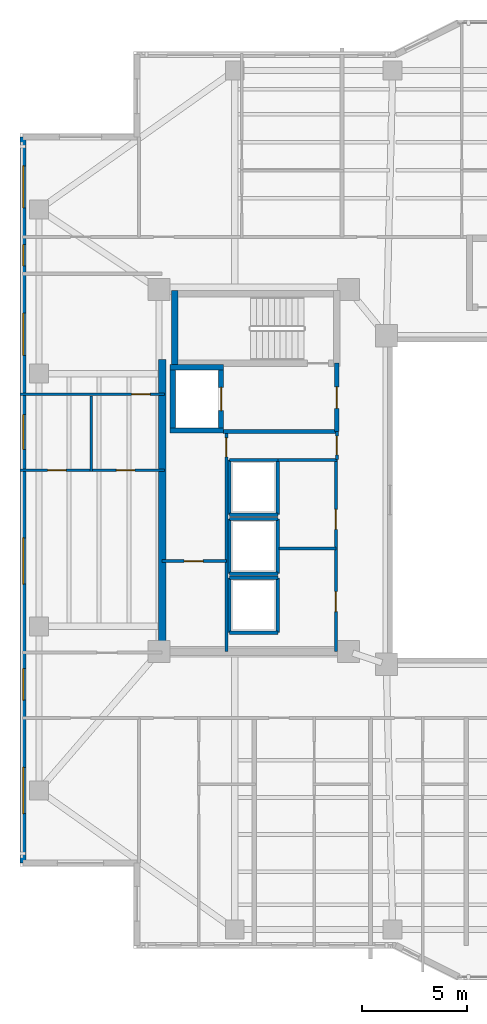
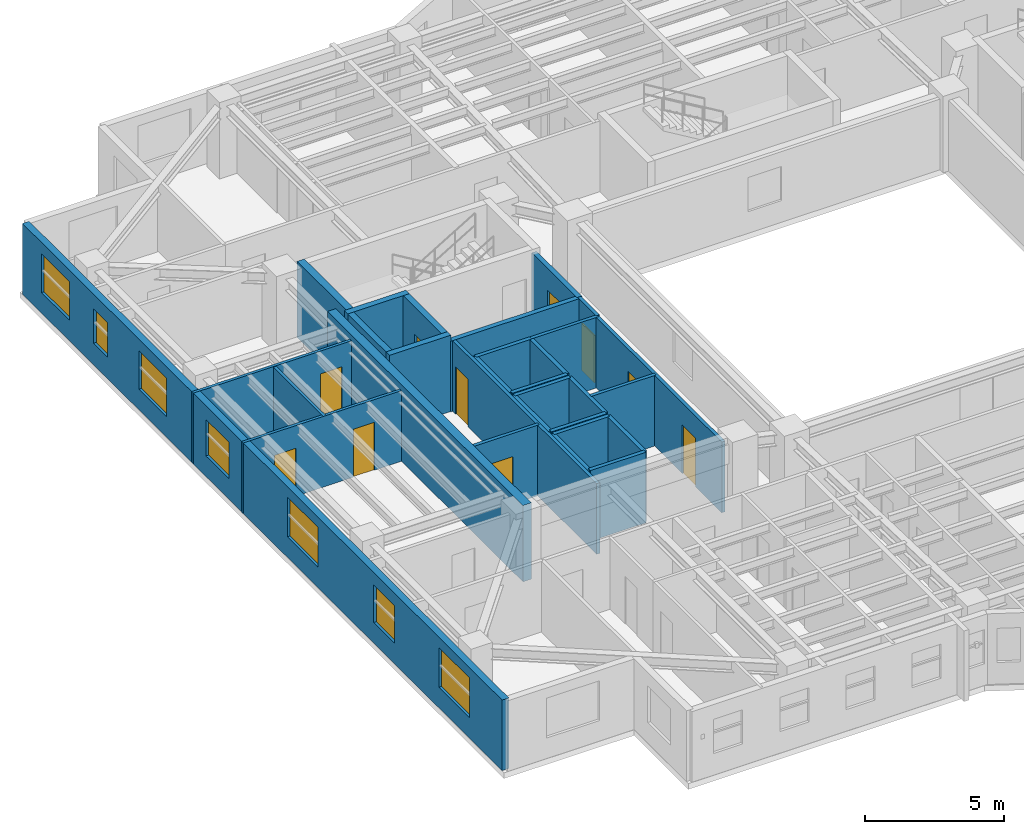
# One storey, part 7 of 16: 30 walls, 10 doors, 7 windows, 17 openings.
"""IFC4 building model written with IfcOpenShell, lengths in metres."""

from ifc_helpers import new_model, si_unit, direction, frame, frame_2d, origin, place, context, subcontext, project, spatial, rectangle, extrude, material, layer, layer_set, type_object, element, fill, save


model = new_model("IFC4")

# Units and contexts
model_context = context("Model", 3, precision=1e-05, world=origin(), true_north=direction((0.0, 1.0)))
body_context = subcontext(model_context, "Body", "Model", "MODEL_VIEW")
ifc_project = project(units=[si_unit("LENGTHUNIT", "METRE"), si_unit("AREAUNIT", "SQUARE_METRE"), si_unit("VOLUMEUNIT", "CUBIC_METRE"), si_unit("PLANEANGLEUNIT", "RADIAN"), si_unit("MASSUNIT", "GRAM", prefix="KILO")], contexts=[model_context])

# Site, building, storey
site_placement = place(None, origin())
site = spatial("IfcSite", under=ifc_project, at=site_placement, CompositionType="ELEMENT")
building_placement = place(site_placement, origin())
building = spatial("IfcBuilding", under=site, at=building_placement, Name="Tarnavaz Court Tower", CompositionType="ELEMENT")
storey_placement = place(building_placement, frame((0.0, 0.0, 166.10009765625)))
storey = spatial("IfcBuildingStorey", under=building, at=storey_placement, Name="L45", CompositionType="ELEMENT", Elevation=166.10009765625)

# Wall
ifc_material_1 = material(Name="Concrete C50/60", Category="concrete")
ifc_layer_1 = layer(ifc_material_1, 0.25)
ifc_layer_set_1 = layer_set([ifc_layer_1], Name="Concrete C50/60")
wall_type_1 = type_object("IfcWallType", Name="WL-CORE-250-C50", PredefinedType="SHEAR", material=ifc_layer_set_1)
wall_1_placement = place(storey_placement, frame((-17.949951171875, 3.175048828125, 0.0), z_axis=(0.0, 0.0, 1.0), x_axis=(0.0, 1.0, 0.0)))
element("IfcWall", 1, at=wall_1_placement, inside=storey, type_object=wall_type_1, Name="L45 Lift FL-W1 Shaft Wall 017", PredefinedType="SHEAR", context=body_context, shape_type="SweptSolid", body=[
    extrude(rectangle(XDim=3.25, YDim=0.25, at=frame_2d((1.625, 0.0))), origin(), (0.0, 0.0, 1.0), 3.349853515625),
])

# Wall, opening, door
wall_2_placement = place(storey_placement, frame((-15.64990234375, 3.175048828125, 0.0), z_axis=(0.0, 0.0, 1.0), x_axis=(0.0, 1.0, 0.0)))
wall_2 = element("IfcWall", 2, at=wall_2_placement, inside=storey, type_object=wall_type_1, Name="L45 Lift FL-W1 Shaft Wall 018", PredefinedType="SHEAR", context=body_context, shape_type="SweptSolid", body=[
    extrude(rectangle(XDim=3.25, YDim=0.25, at=frame_2d((1.625, 0.0))), origin(), (0.0, 0.0, 1.0), 3.349853515625),
])
opening_1_placement = place(wall_2_placement, frame((1.074951171875, 0.0, 0.0)))
opening_1 = element("IfcOpeningElement", 3, at=opening_1_placement, cuts=wall_2, Name="Opening LD1", PredefinedType="OPENING", context=body_context, shape_type="SweptSolid", body=[
    extrude(rectangle(XDim=1.10009765625, YDim=2.14990234375, at=frame_2d((0.550048828125, 1.074951171875))), frame((0.0, 0.135009765625, 0.0), z_axis=(0.0, -1.0, 0.0), x_axis=(1.0, 0.0, 0.0)), (0.0, 0.0, 1.0), 0.27001953125),
])
ifc_material_2 = material(Name="Stainless Steel", Category="steel")
door_type_1 = type_object("IfcDoorType", Name="DR-LD-1100", OperationType="NOTDEFINED", PredefinedType="DOOR", material=ifc_material_2)
door_1_placement = place(opening_1_placement, origin())
door_1 = element("IfcDoor", 4, at=door_1_placement, inside=storey, type_object=door_type_1, Name="L45 Lift Landing Door LD-FL-W1", OperationType="SLIDING_TO_LEFT", OverallHeight=2.14990234375, OverallWidth=1.10009765625, PredefinedType="DOOR", context=body_context, shape_type="SweptSolid", body=[
    extrude(rectangle(XDim=1.10009765625, YDim=2.14990234375, at=frame_2d((0.550048828125, 1.074951171875))), frame((0.0, 0.02490234375, 0.0), z_axis=(0.0, -1.0, 0.0), x_axis=(1.0, 0.0, 0.0)), (0.0, 0.0, 1.0), 0.050048828125),
])
fill(opening_1, door_1)

# Walls
for number, where, z_axis, x_axis, name in (
    (5, (-18.074951171875, 3.300048828125, 0.0), (0.0, 0.0, 1.0), (1.0, 0.0, 0.0), "L45 Lift FL-W1 Shaft Wall 019"),
    (6, (-18.074951171875, 6.300048828125, 0.0), (0.0, 0.0, 1.0), (1.0, 0.0, 0.0), "L45 Lift FL-W1 Shaft Wall 020"),
):
    element("IfcWall", number, at=place(storey_placement, frame(where, z_axis=z_axis, x_axis=x_axis)), inside=storey, type_object=wall_type_1, Name=name, PredefinedType="SHEAR", context=body_context, shape_type="SweptSolid", body=[
        extrude(rectangle(XDim=2.550048828125, YDim=0.25, at=frame_2d((1.27490234375, 0.0))), origin(), (0.0, 0.0, 1.0), 3.349853515625),
    ])
ifc_layer_2 = layer(ifc_material_1, 0.300048828125)
ifc_layer_set_2 = layer_set([ifc_layer_2], Name="Concrete C50/60")
wall_type_2 = type_object("IfcWallType", Name="WL-CORE-300-C50", PredefinedType="SHEAR", material=ifc_layer_set_2)
wall_3_placement = place(storey_placement, frame((-17.85009765625, 6.35009765625, 0.0), z_axis=(0.0, 0.0, 1.0), x_axis=(0.0, 1.0, 0.0)))
element("IfcWall", 7, at=wall_3_placement, inside=storey, type_object=wall_type_2, Name="L45 West Stair Core Wall 003", PredefinedType="SHEAR", context=body_context, shape_type="SweptSolid", body=[
    extrude(rectangle(XDim=3.58984375, YDim=0.300048828125, at=frame_2d((1.794921875, 0.0))), origin(), (0.0, 0.0, 1.0), 3.349853515625),
])
ifc_layer_3 = layer(ifc_material_1, 0.35009765625)
ifc_layer_set_3 = layer_set([ifc_layer_3], Name="Concrete C50/60")
wall_type_3 = type_object("IfcWallType", Name="WL-CORE-350-C50", PredefinedType="SHEAR", material=ifc_layer_set_3)
wall_4_placement = place(storey_placement, frame((-18.449951171875, -7.375, 0.0), z_axis=(0.0, 0.0, 1.0), x_axis=(0.0, 1.0, 0.0)))
element("IfcWall", 8, at=wall_4_placement, inside=storey, type_object=wall_type_3, Name="L45 West Core Shear Wall 057", PredefinedType="SHEAR", context=body_context, shape_type="SweptSolid", body=[
    extrude(rectangle(XDim=14.050048828125, YDim=0.35009765625, at=frame_2d((7.02490234375, 0.0))), origin(), (0.0, 0.0, 1.0), 3.349853515625),
])

# Wall, openings, windows
ifc_material_3 = material(Name="Precast Concrete C40/50", Category="concrete")
ifc_layer_4 = layer(ifc_material_3, 0.280029296875)
ifc_layer_set_4 = layer_set([ifc_layer_4], Name="Precast Concrete C40/50")
wall_type_4 = type_object("IfcWallType", Name="WL-EXT-280", PredefinedType="SOLIDWALL", material=ifc_layer_set_4)
wall_5_placement = place(storey_placement, frame((-25.050048828125, -17.25, 0.0), z_axis=(0.0, 0.0, 1.0), x_axis=(0.0, 1.0, 0.0)))
wall_5 = element("IfcWall", 9, at=wall_5_placement, inside=storey, type_object=wall_type_4, Name="L45 Exterior Terracotta Facade Wall 02", PredefinedType="SOLIDWALL", context=body_context, shape_type="SweptSolid", body=[
    extrude(rectangle(XDim=34.5, YDim=0.280029296875, at=frame_2d((17.25, 0.0))), origin(), (0.0, 0.0, 1.0), 3.099853515625),
])
opening_2_placement = place(wall_5_placement, frame((2.35009765625, 0.0, 0.89990234375)))
opening_2 = element("IfcOpeningElement", 10, at=opening_2_placement, cuts=wall_5, Name="Opening W07", PredefinedType="OPENING", context=body_context, shape_type="SweptSolid", body=[
    extrude(rectangle(XDim=2.199951171875, YDim=1.75, at=frame_2d((1.10009765625, 0.875))), frame((0.0, 0.14990234375, 0.0), z_axis=(0.0, -1.0, 0.0), x_axis=(1.0, 0.0, 0.0)), (0.0, 0.0, 1.0), 0.300048828125),
])
opening_3_placement = place(wall_5_placement, frame((7.742431640625, 0.0, 0.89990234375)))
opening_3 = element("IfcOpeningElement", 11, at=opening_3_placement, cuts=wall_5, Name="Opening W03", PredefinedType="OPENING", context=body_context, shape_type="SweptSolid", body=[
    extrude(rectangle(XDim=1.5, YDim=1.64990234375, at=frame_2d((0.75, 0.824951171875))), frame((0.0, 0.14990234375, 0.0), z_axis=(0.0, -1.0, 0.0), x_axis=(1.0, 0.0, 0.0)), (0.0, 0.0, 1.0), 0.300048828125),
])
opening_4_placement = place(wall_5_placement, frame((13.25, 0.0, 0.89990234375)))
opening_4 = element("IfcOpeningElement", 12, at=opening_4_placement, cuts=wall_5, Name="Opening W07", PredefinedType="OPENING", context=body_context, shape_type="SweptSolid", body=[
    extrude(rectangle(XDim=2.199951171875, YDim=1.75, at=frame_2d((1.10009765625, 0.875))), frame((0.0, 0.14990234375, 0.0), z_axis=(0.0, -1.0, 0.0), x_axis=(1.0, 0.0, 0.0)), (0.0, 0.0, 1.0), 0.300048828125),
])
opening_5_placement = place(wall_5_placement, frame((19.64990234375, 0.0, 0.89990234375)))
opening_5 = element("IfcOpeningElement", 13, at=opening_5_placement, cuts=wall_5, Name="Opening W02", PredefinedType="OPENING", context=body_context, shape_type="SweptSolid", body=[
    extrude(rectangle(XDim=1.64990234375, YDim=1.60009765625, at=frame_2d((0.824951171875, 0.800048828125))), frame((0.0, 0.14990234375, 0.0), z_axis=(0.0, -1.0, 0.0), x_axis=(1.0, 0.0, 0.0)), (0.0, 0.0, 1.0), 0.300048828125),
])
opening_6_placement = place(wall_5_placement, frame((24.125, 0.0, 0.89990234375)))
opening_6 = element("IfcOpeningElement", 14, at=opening_6_placement, cuts=wall_5, Name="Opening W08", PredefinedType="OPENING", context=body_context, shape_type="SweptSolid", body=[
    extrude(rectangle(XDim=2.0, YDim=1.699951171875, at=frame_2d((1.0, 0.85009765625))), frame((0.0, 0.14990234375, 0.0), z_axis=(0.0, -1.0, 0.0), x_axis=(1.0, 0.0, 0.0)), (0.0, 0.0, 1.0), 0.300048828125),
])
opening_7_placement = place(wall_5_placement, frame((28.375, 0.0, 0.949951171875)))
opening_7 = element("IfcOpeningElement", 15, at=opening_7_placement, cuts=wall_5, Name="Opening W14", PredefinedType="OPENING", context=body_context, shape_type="SweptSolid", body=[
    extrude(rectangle(XDim=1.0, YDim=1.5, at=frame_2d((0.5, 0.75))), frame((0.0, 0.14990234375, 0.0), z_axis=(0.0, -1.0, 0.0), x_axis=(1.0, 0.0, 0.0)), (0.0, 0.0, 1.0), 0.300048828125),
])
opening_8_placement = place(wall_5_placement, frame((31.125, 0.0, 0.89990234375)))
opening_8 = element("IfcOpeningElement", 16, at=opening_8_placement, cuts=wall_5, Name="Opening W08", PredefinedType="OPENING", context=body_context, shape_type="SweptSolid", body=[
    extrude(rectangle(XDim=2.0, YDim=1.699951171875, at=frame_2d((1.0, 0.85009765625))), frame((0.0, 0.14990234375, 0.0), z_axis=(0.0, -1.0, 0.0), x_axis=(1.0, 0.0, 0.0)), (0.0, 0.0, 1.0), 0.300048828125),
])
ifc_material_4 = material(Name="Double-Glazed Solar Low-E Glass", Category="glass")
window_type_1 = type_object("IfcWindowType", Name="WN-APT-1000", PartitioningType="SINGLE_PANEL", PredefinedType="WINDOW", material=ifc_material_4)
window_1_placement = place(opening_7_placement, origin())
window_1 = element("IfcWindow", 17, at=window_1_placement, inside=storey, type_object=window_type_1, Name="L45 North-West Corner Corridor Window", OverallHeight=1.5, OverallWidth=1.0, PartitioningType="SINGLE_PANEL", PredefinedType="WINDOW", context=body_context, shape_type="SweptSolid", body=[
    extrude(rectangle(XDim=1.0, YDim=1.5, at=frame_2d((0.5, 0.75))), frame((0.0, 0.030029296875, 0.0), z_axis=(0.0, -1.0, 0.0), x_axis=(1.0, 0.0, 0.0)), (0.0, 0.0, 1.0), 0.06005859375),
])
fill(opening_7, window_1)
window_type_2 = type_object("IfcWindowType", Name="WN-APT-1500", PartitioningType="DOUBLE_PANEL_VERTICAL", PredefinedType="WINDOW", material=ifc_material_4)
window_2_placement = place(opening_3_placement, origin())
window_2 = element("IfcWindow", 18, at=window_2_placement, inside=storey, type_object=window_type_2, Name="L45 South-West Corner Corridor Window", OverallHeight=1.64990234375, OverallWidth=1.5, PartitioningType="SINGLE_PANEL", PredefinedType="WINDOW", context=body_context, shape_type="SweptSolid", body=[
    extrude(rectangle(XDim=1.5, YDim=1.64990234375, at=frame_2d((0.75, 0.824951171875))), frame((0.0, 0.030029296875, 0.0), z_axis=(0.0, -1.0, 0.0), x_axis=(1.0, 0.0, 0.0)), (0.0, 0.0, 1.0), 0.06005859375),
])
fill(opening_3, window_2)
window_type_3 = type_object("IfcWindowType", Name="WN-APT-1650", PartitioningType="DOUBLE_PANEL_VERTICAL", PredefinedType="WINDOW", material=ifc_material_4)
window_3_placement = place(opening_5_placement, origin())
window_3 = element("IfcWindow", 19, at=window_3_placement, inside=storey, type_object=window_type_3, Name="L45 Flat 11 Kitchen Window", OverallHeight=1.60009765625, OverallWidth=1.64990234375, PartitioningType="SINGLE_PANEL", PredefinedType="WINDOW", context=body_context, shape_type="SweptSolid", body=[
    extrude(rectangle(XDim=1.64990234375, YDim=1.60009765625, at=frame_2d((0.824951171875, 0.800048828125))), frame((0.0, 0.030029296875, 0.0), z_axis=(0.0, -1.0, 0.0), x_axis=(1.0, 0.0, 0.0)), (0.0, 0.0, 1.0), 0.06005859375),
])
fill(opening_5, window_3)
window_type_4 = type_object("IfcWindowType", Name="WN-APT-2000", PartitioningType="DOUBLE_PANEL_VERTICAL", PredefinedType="WINDOW", material=ifc_material_4)
window_4_placement = place(opening_6_placement, origin())
window_4 = element("IfcWindow", 20, at=window_4_placement, inside=storey, type_object=window_type_4, Name="L45 Flat 11 Study Room Window", OverallHeight=1.699951171875, OverallWidth=2.0, PartitioningType="SINGLE_PANEL", PredefinedType="WINDOW", context=body_context, shape_type="SweptSolid", body=[
    extrude(rectangle(XDim=2.0, YDim=1.699951171875, at=frame_2d((1.0, 0.85009765625))), frame((0.0, 0.030029296875, 0.0), z_axis=(0.0, -1.0, 0.0), x_axis=(1.0, 0.0, 0.0)), (0.0, 0.0, 1.0), 0.06005859375),
])
fill(opening_6, window_4)
window_5_placement = place(opening_8_placement, origin())
window_5 = element("IfcWindow", 21, at=window_5_placement, inside=storey, type_object=window_type_4, Name="L45 North-West Corner Sunroom Study Window", OverallHeight=1.699951171875, OverallWidth=2.0, PartitioningType="SINGLE_PANEL", PredefinedType="WINDOW", context=body_context, shape_type="SweptSolid", body=[
    extrude(rectangle(XDim=2.0, YDim=1.699951171875, at=frame_2d((1.0, 0.85009765625))), frame((0.0, 0.030029296875, 0.0), z_axis=(0.0, -1.0, 0.0), x_axis=(1.0, 0.0, 0.0)), (0.0, 0.0, 1.0), 0.06005859375),
])
fill(opening_8, window_5)
window_type_5 = type_object("IfcWindowType", Name="WN-APT-2200", PartitioningType="TRIPLE_PANEL_VERTICAL", PredefinedType="WINDOW", material=ifc_material_4)
window_6_placement = place(opening_2_placement, origin())
window_6 = element("IfcWindow", 22, at=window_6_placement, inside=storey, type_object=window_type_5, Name="L45 South-West Corner Reading Room Window", OverallHeight=1.75, OverallWidth=2.199951171875, PartitioningType="SINGLE_PANEL", PredefinedType="WINDOW", context=body_context, shape_type="SweptSolid", body=[
    extrude(rectangle(XDim=2.199951171875, YDim=1.75, at=frame_2d((1.10009765625, 0.875))), frame((0.0, 0.030029296875, 0.0), z_axis=(0.0, -1.0, 0.0), x_axis=(1.0, 0.0, 0.0)), (0.0, 0.0, 1.0), 0.06005859375),
])
fill(opening_2, window_6)
window_7_placement = place(opening_4_placement, origin())
window_7 = element("IfcWindow", 23, at=window_7_placement, inside=storey, type_object=window_type_5, Name="L45 Flat 11 Studio Living and Sleeping Room Window", OverallHeight=1.75, OverallWidth=2.199951171875, PartitioningType="SINGLE_PANEL", PredefinedType="WINDOW", context=body_context, shape_type="SweptSolid", body=[
    extrude(rectangle(XDim=2.199951171875, YDim=1.75, at=frame_2d((1.10009765625, 0.875))), frame((0.0, 0.030029296875, 0.0), z_axis=(0.0, -1.0, 0.0), x_axis=(1.0, 0.0, 0.0)), (0.0, 0.0, 1.0), 0.06005859375),
])
fill(opening_4, window_7)

# Wall
ifc_material_5 = material(Name="Autoclaved Aerated Concrete Blockwork", Category="masonry")
ifc_layer_5 = layer(ifc_material_5, 0.199951171875)
ifc_layer_set_5 = layer_set([ifc_layer_5], Name="Autoclaved Aerated Concrete Blockwork")
wall_type_5 = type_object("IfcWallType", Name="WL-FIRE-200", PredefinedType="SOLIDWALL", material=ifc_layer_set_5)
wall_6_placement = place(storey_placement, frame((-15.550048828125, 3.25, 0.0), z_axis=(0.0, 0.0, 1.0), x_axis=(1.0, 0.0, 0.0)))
element("IfcWall", 24, at=wall_6_placement, inside=storey, type_object=wall_type_5, Name="L45 West Firefighting Lobby Wall 013", PredefinedType="SOLIDWALL", context=body_context, shape_type="SweptSolid", body=[
    extrude(rectangle(XDim=5.400146484375, YDim=0.199951171875, at=frame_2d((2.7001953125, 0.0))), origin(), (0.0, 0.0, 1.0), 3.099853515625),
])

# Wall, opening, door
wall_7_placement = place(storey_placement, frame((-10.14990234375, 3.25, 0.0), z_axis=(0.0, 0.0, 1.0), x_axis=(0.0, 1.0, 0.0)))
wall_7 = element("IfcWall", 25, at=wall_7_placement, inside=storey, type_object=wall_type_5, Name="L45 West Firefighting Lobby Wall 014", PredefinedType="SOLIDWALL", context=body_context, shape_type="SweptSolid", body=[
    extrude(rectangle(XDim=3.25, YDim=0.199951171875, at=frame_2d((1.625, 0.0))), origin(), (0.0, 0.0, 1.0), 3.099853515625),
])
opening_9_placement = place(wall_7_placement, frame((1.10009765625, 0.0, 0.0)))
opening_9 = element("IfcOpeningElement", 26, at=opening_9_placement, cuts=wall_7, Name="Opening D05", PredefinedType="OPENING", context=body_context, shape_type="SweptSolid", body=[
    extrude(rectangle(XDim=1.02001953125, YDim=2.14990234375, at=frame_2d((0.510009765625, 1.074951171875))), frame((0.0, 0.10986328125, 0.0), z_axis=(0.0, -1.0, 0.0), x_axis=(1.0, 0.0, 0.0)), (0.0, 0.0, 1.0), 0.219970703125),
])
ifc_material_6 = material(Name="Fire-Rated Hardwood Timber Core", Category="wood")
door_type_2 = type_object("IfcDoorType", Name="DR-FD60-1000", OperationType="NOTDEFINED", PredefinedType="DOOR", material=ifc_material_6)
door_2_placement = place(opening_9_placement, origin())
door_2 = element("IfcDoor", 27, at=door_2_placement, inside=storey, type_object=door_type_2, Name="L45 West Firefighting Lobby Door", OperationType="SINGLE_SWING_RIGHT", OverallHeight=2.14990234375, OverallWidth=1.02001953125, PredefinedType="DOOR", context=body_context, shape_type="SweptSolid", body=[
    extrude(rectangle(XDim=1.02001953125, YDim=2.14990234375, at=frame_2d((0.510009765625, 1.074951171875))), frame((0.0, 0.02490234375, 0.0), z_axis=(0.0, -1.0, 0.0), x_axis=(1.0, 0.0, 0.0)), (0.0, 0.0, 1.0), 0.050048828125),
])
fill(opening_9, door_2)

# Wall, openings, doors
ifc_material_7 = material(Name="Moisture-Resistant Gypsum Board Partition", Category="masonry")
ifc_layer_6 = layer(ifc_material_7, 0.1201171875)
ifc_layer_set_6 = layer_set([ifc_layer_6], Name="Moisture-Resistant Gypsum Board Partition")
wall_type_6 = type_object("IfcWallType", Name="WL-PART-120", PredefinedType="PARTITIONING", material=ifc_layer_set_6)
wall_8_placement = place(storey_placement, frame((-25.199951171875, 1.419921875, 0.0), z_axis=(0.0, 0.0, 1.0), x_axis=(1.0, 0.0, 0.0)))
wall_8 = element("IfcWall", 28, at=wall_8_placement, inside=storey, type_object=wall_type_6, Name="L45 Interior Partition 126", PredefinedType="PARTITIONING", context=body_context, shape_type="SweptSolid", body=[
    extrude(rectangle(XDim=6.869873046875, YDim=0.1201171875, at=frame_2d((3.43505859375, 0.0))), origin(), (0.0, 0.0, 1.0), 3.099853515625),
])
opening_10_placement = place(wall_8_placement, frame((1.31201171875, 0.0, 0.0)))
opening_10 = element("IfcOpeningElement", 29, at=opening_10_placement, cuts=wall_8, Name="Opening D14", PredefinedType="OPENING", context=body_context, shape_type="SweptSolid", body=[
    extrude(rectangle(XDim=0.8798828125, YDim=2.10009765625, at=frame_2d((0.43994140625, 1.050048828125))), frame((0.0, 0.070068359375, 0.0), z_axis=(0.0, -1.0, 0.0), x_axis=(1.0, 0.0, 0.0)), (0.0, 0.0, 1.0), 0.14013671875),
])
opening_11_placement = place(wall_8_placement, frame((4.576904296875, 0.0, 0.0)))
opening_11 = element("IfcOpeningElement", 30, at=opening_11_placement, cuts=wall_8, Name="Opening D14", PredefinedType="OPENING", context=body_context, shape_type="SweptSolid", body=[
    extrude(rectangle(XDim=0.8798828125, YDim=2.10009765625, at=frame_2d((0.43994140625, 1.050048828125))), frame((0.0, 0.070068359375, 0.0), z_axis=(0.0, -1.0, 0.0), x_axis=(1.0, 0.0, 0.0)), (0.0, 0.0, 1.0), 0.14013671875),
])
ifc_material_8 = material(Name="Engineered Oak Timber", Category="wood")
door_type_3 = type_object("IfcDoorType", Name="DR-INT-900", OperationType="NOTDEFINED", PredefinedType="DOOR", material=ifc_material_8)
door_3_placement = place(opening_10_placement, origin())
door_3 = element("IfcDoor", 31, at=door_3_placement, inside=storey, type_object=door_type_3, Name="L45 Flat 11 Kitchen Door", OperationType="SINGLE_SWING_RIGHT", OverallHeight=2.10009765625, OverallWidth=0.8798828125, PredefinedType="DOOR", context=body_context, shape_type="SweptSolid", body=[
    extrude(rectangle(XDim=0.8798828125, YDim=2.10009765625, at=frame_2d((0.43994140625, 1.050048828125))), frame((0.0, 0.02490234375, 0.0), z_axis=(0.0, -1.0, 0.0), x_axis=(1.0, 0.0, 0.0)), (0.0, 0.0, 1.0), 0.050048828125),
])
fill(opening_10, door_3)
door_4_placement = place(opening_11_placement, origin())
door_4 = element("IfcDoor", 32, at=door_4_placement, inside=storey, type_object=door_type_3, Name="L45 Flat 11 Bathroom Door", OperationType="SINGLE_SWING_LEFT", OverallHeight=2.10009765625, OverallWidth=0.8798828125, PredefinedType="DOOR", context=body_context, shape_type="SweptSolid", body=[
    extrude(rectangle(XDim=0.8798828125, YDim=2.10009765625, at=frame_2d((0.43994140625, 1.050048828125))), frame((0.0, 0.02490234375, 0.0), z_axis=(0.0, -1.0, 0.0), x_axis=(1.0, 0.0, 0.0)), (0.0, 0.0, 1.0), 0.050048828125),
])
fill(opening_11, door_4)

# Wall, opening, door
wall_9_placement = place(storey_placement, frame((-25.199951171875, 5.02001953125, 0.0), z_axis=(0.0, 0.0, 1.0), x_axis=(1.0, 0.0, 0.0)))
wall_9 = element("IfcWall", 33, at=wall_9_placement, inside=storey, type_object=wall_type_6, Name="L45 Interior Partition 127", PredefinedType="PARTITIONING", context=body_context, shape_type="SweptSolid", body=[
    extrude(rectangle(XDim=6.869873046875, YDim=0.1201171875, at=frame_2d((3.43505859375, 0.0))), origin(), (0.0, 0.0, 1.0), 3.099853515625),
])
opening_12_placement = place(wall_9_placement, frame((5.300048828125, 0.0, 0.0)))
opening_12 = element("IfcOpeningElement", 34, at=opening_12_placement, cuts=wall_9, Name="Opening D14", PredefinedType="OPENING", context=body_context, shape_type="SweptSolid", body=[
    extrude(rectangle(XDim=0.8798828125, YDim=2.10009765625, at=frame_2d((0.43994140625, 1.050048828125))), frame((0.0, 0.070068359375, 0.0), z_axis=(0.0, -1.0, 0.0), x_axis=(1.0, 0.0, 0.0)), (0.0, 0.0, 1.0), 0.14013671875),
])
door_5_placement = place(opening_12_placement, origin())
door_5 = element("IfcDoor", 35, at=door_5_placement, inside=storey, type_object=door_type_3, Name="L45 Flat 11 Study Door", OperationType="SINGLE_SWING_RIGHT", OverallHeight=2.10009765625, OverallWidth=0.8798828125, PredefinedType="DOOR", context=body_context, shape_type="SweptSolid", body=[
    extrude(rectangle(XDim=0.8798828125, YDim=2.10009765625, at=frame_2d((0.43994140625, 1.050048828125))), frame((0.0, 0.02490234375, 0.0), z_axis=(0.0, -1.0, 0.0), x_axis=(1.0, 0.0, 0.0)), (0.0, 0.0, 1.0), 0.050048828125),
])
fill(opening_12, door_5)

# Walls
wall_10_placement = place(storey_placement, frame((-21.81494140625, 1.360107421875, 0.0), z_axis=(0.0, 0.0, 1.0), x_axis=(0.0, 1.0, 0.0)))
element("IfcWall", 36, at=wall_10_placement, inside=storey, type_object=wall_type_6, Name="L45 Interior Partition 128", PredefinedType="PARTITIONING", context=body_context, shape_type="SweptSolid", body=[
    extrude(rectangle(XDim=3.579833984375, YDim=0.1201171875, at=frame_2d((1.7900390625, 0.0))), origin(), (0.0, 0.0, 1.0), 3.099853515625),
])
ifc_material_9 = material(Name="Gypsum Plasterboard Acoustic Partition", Category="masonry")
ifc_layer_7 = layer(ifc_material_9, 0.139892578125)
ifc_layer_set_7 = layer_set([ifc_layer_7], Name="Gypsum Plasterboard Acoustic Partition")
wall_type_7 = type_object("IfcWallType", Name="WL-PART-150", PredefinedType="PARTITIONING", material=ifc_layer_set_7)
wall_11_placement = place(storey_placement, frame((-12.949951171875, 1.89990234375, 0.0), z_axis=(0.0, 0.0, 1.0), x_axis=(1.0, 0.0, 0.0)))
element("IfcWall", 37, at=wall_11_placement, inside=storey, type_object=wall_type_7, Name="L45 Interior Partition 061", PredefinedType="PARTITIONING", context=body_context, shape_type="SweptSolid", body=[
    extrude(rectangle(XDim=2.800048828125, YDim=0.139892578125, at=frame_2d((1.39990234375, 0.0))), origin(), (0.0, 0.0, 1.0), 3.099853515625),
])

# Wall, opening, door
wall_12_placement = place(storey_placement, frame((-10.14990234375, 1.919921875, 0.0), z_axis=(0.0, 0.0, 1.0), x_axis=(0.0, 1.0, 0.0)))
wall_12 = element("IfcWall", 38, at=wall_12_placement, inside=storey, type_object=wall_type_7, Name="L45 Interior Partition 062", PredefinedType="PARTITIONING", context=body_context, shape_type="SweptSolid", body=[
    extrude(rectangle(XDim=1.330078125, YDim=0.139892578125, at=frame_2d((0.6650390625, 0.0))), origin(), (0.0, 0.0, 1.0), 3.099853515625),
])
opening_13_placement = place(wall_12_placement, frame((0.219970703125, 0.0, 0.0)))
opening_13 = element("IfcOpeningElement", 39, at=opening_13_placement, cuts=wall_12, Name="Opening D09", PredefinedType="OPENING", context=body_context, shape_type="SweptSolid", body=[
    extrude(rectangle(XDim=0.89990234375, YDim=2.080078125, at=frame_2d((0.449951171875, 1.0400390625))), frame((0.0, 0.079833984375, 0.0), z_axis=(0.0, -1.0, 0.0), x_axis=(1.0, 0.0, 0.0)), (0.0, 0.0, 1.0), 0.159912109375),
])
door_type_4 = type_object("IfcDoorType", Name="DR-FD30-900", OperationType="NOTDEFINED", PredefinedType="DOOR", material=ifc_material_6)
door_6_placement = place(opening_13_placement, origin())
door_6 = element("IfcDoor", 40, at=door_6_placement, inside=storey, type_object=door_type_4, Name="L45 West Core Service Lobby Door", OperationType="SINGLE_SWING_LEFT", OverallHeight=2.080078125, OverallWidth=0.89990234375, PredefinedType="DOOR", context=body_context, shape_type="SweptSolid", body=[
    extrude(rectangle(XDim=0.89990234375, YDim=2.080078125, at=frame_2d((0.449951171875, 1.0400390625))), frame((0.0, 0.02490234375, 0.0), z_axis=(0.0, -1.0, 0.0), x_axis=(1.0, 0.0, 0.0)), (0.0, 0.0, 1.0), 0.050048828125),
])
fill(opening_13, door_6)

wall_13_placement = place(storey_placement, frame((-15.39990234375, -7.199951171875, 0.0), z_axis=(0.0, 0.0, 1.0), x_axis=(0.0, 1.0, 0.0)))
wall_13 = element("IfcWall", 41, at=wall_13_placement, inside=storey, type_object=wall_type_7, Name="L45 Interior Partition 063", PredefinedType="PARTITIONING", context=body_context, shape_type="SweptSolid", body=[
    extrude(rectangle(XDim=10.449951171875, YDim=0.139892578125, at=frame_2d((5.22509765625, 0.0))), origin(), (0.0, 0.0, 1.0), 3.099853515625),
])
opening_14_placement = place(wall_13_placement, frame((9.25, 0.0, 0.0)))
opening_14 = element("IfcOpeningElement", 42, at=opening_14_placement, cuts=wall_13, Name="Opening D09", PredefinedType="OPENING", context=body_context, shape_type="SweptSolid", body=[
    extrude(rectangle(XDim=0.89990234375, YDim=2.080078125, at=frame_2d((0.449951171875, 1.0400390625))), frame((0.0, 0.079833984375, 0.0), z_axis=(0.0, -1.0, 0.0), x_axis=(1.0, 0.0, 0.0)), (0.0, 0.0, 1.0), 0.159912109375),
])
door_7_placement = place(opening_14_placement, origin())
door_7 = element("IfcDoor", 43, at=door_7_placement, inside=storey, type_object=door_type_4, Name="L45 West Valve Room Door", OperationType="SINGLE_SWING_RIGHT", OverallHeight=2.080078125, OverallWidth=0.89990234375, PredefinedType="DOOR", context=body_context, shape_type="SweptSolid", body=[
    extrude(rectangle(XDim=0.89990234375, YDim=2.080078125, at=frame_2d((0.449951171875, 1.0400390625))), frame((0.0, 0.02490234375, 0.0), z_axis=(0.0, -1.0, 0.0), x_axis=(1.0, 0.0, 0.0)), (0.0, 0.0, 1.0), 0.050048828125),
])
fill(opening_14, door_7)

wall_14_placement = place(storey_placement, frame((-18.449951171875, -2.89990234375, 0.0), z_axis=(0.0, 0.0, 1.0), x_axis=(1.0, 0.0, 0.0)))
wall_14 = element("IfcWall", 44, at=wall_14_placement, inside=storey, type_object=wall_type_7, Name="L45 Interior Partition 064", PredefinedType="PARTITIONING", context=body_context, shape_type="SweptSolid", body=[
    extrude(rectangle(XDim=3.050048828125, YDim=0.139892578125, at=frame_2d((1.52490234375, 0.0))), origin(), (0.0, 0.0, 1.0), 3.099853515625),
])
opening_15_placement = place(wall_14_placement, frame((1.050048828125, 0.0, 0.0)))
opening_15 = element("IfcOpeningElement", 45, at=opening_15_placement, cuts=wall_14, Name="Opening D09", PredefinedType="OPENING", context=body_context, shape_type="SweptSolid", body=[
    extrude(rectangle(XDim=0.89990234375, YDim=2.080078125, at=frame_2d((0.449951171875, 1.0400390625))), frame((0.0, 0.079833984375, 0.0), z_axis=(0.0, -1.0, 0.0), x_axis=(1.0, 0.0, 0.0)), (0.0, 0.0, 1.0), 0.159912109375),
])
door_8_placement = place(opening_15_placement, origin())
door_8 = element("IfcDoor", 46, at=door_8_placement, inside=storey, type_object=door_type_4, Name="L45 West Power Plant Door", OperationType="SINGLE_SWING_LEFT", OverallHeight=2.080078125, OverallWidth=0.89990234375, PredefinedType="DOOR", context=body_context, shape_type="SweptSolid", body=[
    extrude(rectangle(XDim=0.89990234375, YDim=2.080078125, at=frame_2d((0.449951171875, 1.0400390625))), frame((0.0, 0.02490234375, 0.0), z_axis=(0.0, -1.0, 0.0), x_axis=(1.0, 0.0, 0.0)), (0.0, 0.0, 1.0), 0.050048828125),
])
fill(opening_15, door_8)

# Wall, openings, doors
wall_15_placement = place(storey_placement, frame((-10.199951171875, -7.199951171875, 0.0), z_axis=(0.0, 0.0, 1.0), x_axis=(0.0, 1.0, 0.0)))
wall_15 = element("IfcWall", 47, at=wall_15_placement, inside=storey, type_object=wall_type_7, Name="L45 West Reclaimed Core Wall 065", PredefinedType="PARTITIONING", context=body_context, shape_type="SweptSolid", body=[
    extrude(rectangle(XDim=9.119873046875, YDim=0.139892578125, at=frame_2d((4.56005859375, 0.0))), origin(), (0.0, 0.0, 1.0), 3.099853515625),
])
opening_16_placement = place(wall_15_placement, frame((1.89990234375, 0.0, 0.0)))
opening_16 = element("IfcOpeningElement", 48, at=opening_16_placement, cuts=wall_15, Name="Opening D08", PredefinedType="OPENING", context=body_context, shape_type="SweptSolid", body=[
    extrude(rectangle(XDim=0.949951171875, YDim=2.1201171875, at=frame_2d((0.47509765625, 1.06005859375))), frame((0.0, 0.079833984375, 0.0), z_axis=(0.0, -1.0, 0.0), x_axis=(1.0, 0.0, 0.0)), (0.0, 0.0, 1.0), 0.159912109375),
])
opening_17_placement = place(wall_15_placement, frame((5.800048828125, 0.0, 0.0)))
opening_17 = element("IfcOpeningElement", 49, at=opening_17_placement, cuts=wall_15, Name="Opening D08", PredefinedType="OPENING", context=body_context, shape_type="SweptSolid", body=[
    extrude(rectangle(XDim=0.949951171875, YDim=2.1201171875, at=frame_2d((0.47509765625, 1.06005859375))), frame((0.0, 0.079833984375, 0.0), z_axis=(0.0, -1.0, 0.0), x_axis=(1.0, 0.0, 0.0)), (0.0, 0.0, 1.0), 0.159912109375),
])
door_type_5 = type_object("IfcDoorType", Name="DR-FD30-950", OperationType="NOTDEFINED", PredefinedType="DOOR", material=ifc_material_6)
door_9_placement = place(opening_16_placement, origin())
door_9 = element("IfcDoor", 50, at=door_9_placement, inside=storey, type_object=door_type_5, Name="L45 West Study Room Door", OperationType="SINGLE_SWING_RIGHT", OverallHeight=2.1201171875, OverallWidth=0.949951171875, PredefinedType="DOOR", context=body_context, shape_type="SweptSolid", body=[
    extrude(rectangle(XDim=0.949951171875, YDim=2.1201171875, at=frame_2d((0.47509765625, 1.06005859375))), frame((0.0, 0.02490234375, 0.0), z_axis=(0.0, -1.0, 0.0), x_axis=(1.0, 0.0, 0.0)), (0.0, 0.0, 1.0), 0.050048828125),
])
fill(opening_16, door_9)
door_10_placement = place(opening_17_placement, origin())
door_10 = element("IfcDoor", 51, at=door_10_placement, inside=storey, type_object=door_type_5, Name="L45 West Laundry Room Door", OperationType="SINGLE_SWING_LEFT", OverallHeight=2.1201171875, OverallWidth=0.949951171875, PredefinedType="DOOR", context=body_context, shape_type="SweptSolid", body=[
    extrude(rectangle(XDim=0.949951171875, YDim=2.1201171875, at=frame_2d((0.47509765625, 1.06005859375))), frame((0.0, 0.02490234375, 0.0), z_axis=(0.0, -1.0, 0.0), x_axis=(1.0, 0.0, 0.0)), (0.0, 0.0, 1.0), 0.050048828125),
])
fill(opening_17, door_10)

# Walls
wall_16_placement = place(storey_placement, frame((-12.89990234375, -2.300048828125, 0.0), z_axis=(0.0, 0.0, 1.0), x_axis=(1.0, 0.0, 0.0)))
element("IfcWall", 52, at=wall_16_placement, inside=storey, type_object=wall_type_7, Name="L45 Interior Partition 066", PredefinedType="PARTITIONING", context=body_context, shape_type="SweptSolid", body=[
    extrude(rectangle(XDim=2.699951171875, YDim=0.139892578125, at=frame_2d((1.35009765625, 0.0))), origin(), (0.0, 0.0, 1.0), 3.099853515625),
])
ifc_layer_8 = layer(ifc_material_5, 0.159912109375)
ifc_layer_set_8 = layer_set([ifc_layer_8], Name="Autoclaved Aerated Concrete Blockwork")
wall_type_8 = type_object("IfcWallType", Name="WL-SHAFT-150", PredefinedType="SOLIDWALL", material=ifc_layer_set_8)
for number, where, z_axis, x_axis, name in (
    (53, (-15.25, -6.300048828125, 0.0), (0.0, 0.0, 1.0), (0.0, 1.0, 0.0), "L45 Lift PL-H1 Shaft Wall 021"),
    (54, (-12.949951171875, -6.300048828125, 0.0), (0.0, 0.0, 1.0), (0.0, 1.0, 0.0), "L45 Lift PL-H1 Shaft Wall 022"),
):
    element("IfcWall", number, at=place(storey_placement, frame(where, z_axis=z_axis, x_axis=x_axis)), inside=storey, type_object=wall_type_8, Name=name, PredefinedType="SOLIDWALL", context=body_context, shape_type="SweptSolid", body=[
        extrude(rectangle(XDim=2.60009765625, YDim=0.159912109375, at=frame_2d((1.300048828125, 0.0))), origin(), (0.0, 0.0, 1.0), 3.099853515625),
    ])
for number, where, z_axis, x_axis, name in (
    (55, (-15.25, -6.300048828125, 0.0), (0.0, 0.0, 1.0), (1.0, 0.0, 0.0), "L45 Lift PL-H1 Shaft Wall 023"),
    (56, (-15.25, -3.699951171875, 0.0), (0.0, 0.0, 1.0), (1.0, 0.0, 0.0), "L45 Lift PL-H1 Shaft Wall 024"),
):
    element("IfcWall", number, at=place(storey_placement, frame(where, z_axis=z_axis, x_axis=x_axis)), inside=storey, type_object=wall_type_8, Name=name, PredefinedType="SOLIDWALL", context=body_context, shape_type="SweptSolid", body=[
        extrude(rectangle(XDim=2.300048828125, YDim=0.159912109375, at=frame_2d((1.14990234375, 0.0))), origin(), (0.0, 0.0, 1.0), 3.099853515625),
    ])
for number, where, z_axis, x_axis, name in (
    (57, (-15.25, -3.5, 0.0), (0.0, 0.0, 1.0), (0.0, 1.0, 0.0), "L45 Lift PL-H2 Shaft Wall 025"),
    (58, (-12.949951171875, -3.5, 0.0), (0.0, 0.0, 1.0), (0.0, 1.0, 0.0), "L45 Lift PL-H2 Shaft Wall 026"),
):
    element("IfcWall", number, at=place(storey_placement, frame(where, z_axis=z_axis, x_axis=x_axis)), inside=storey, type_object=wall_type_8, Name=name, PredefinedType="SOLIDWALL", context=body_context, shape_type="SweptSolid", body=[
        extrude(rectangle(XDim=2.60009765625, YDim=0.159912109375, at=frame_2d((1.300048828125, 0.0))), origin(), (0.0, 0.0, 1.0), 3.099853515625),
    ])
for number, where, z_axis, x_axis, name in (
    (59, (-15.25, -3.5, 0.0), (0.0, 0.0, 1.0), (1.0, 0.0, 0.0), "L45 Lift PL-H2 Shaft Wall 027"),
    (60, (-15.25, -0.89990234375, 0.0), (0.0, 0.0, 1.0), (1.0, 0.0, 0.0), "L45 Lift PL-H2 Shaft Wall 028"),
):
    element("IfcWall", number, at=place(storey_placement, frame(where, z_axis=z_axis, x_axis=x_axis)), inside=storey, type_object=wall_type_8, Name=name, PredefinedType="SOLIDWALL", context=body_context, shape_type="SweptSolid", body=[
        extrude(rectangle(XDim=2.300048828125, YDim=0.159912109375, at=frame_2d((1.14990234375, 0.0))), origin(), (0.0, 0.0, 1.0), 3.099853515625),
    ])
for number, where, z_axis, x_axis, name in (
    (61, (-15.25, -0.699951171875, 0.0), (0.0, 0.0, 1.0), (0.0, 1.0, 0.0), "L45 Lift PL-H3 Shaft Wall 029"),
    (62, (-12.949951171875, -0.699951171875, 0.0), (0.0, 0.0, 1.0), (0.0, 1.0, 0.0), "L45 Lift PL-H3 Shaft Wall 030"),
):
    element("IfcWall", number, at=place(storey_placement, frame(where, z_axis=z_axis, x_axis=x_axis)), inside=storey, type_object=wall_type_8, Name=name, PredefinedType="SOLIDWALL", context=body_context, shape_type="SweptSolid", body=[
        extrude(rectangle(XDim=2.599853515625, YDim=0.159912109375, at=frame_2d((1.2998046875, 0.0))), origin(), (0.0, 0.0, 1.0), 3.099853515625),
    ])
for number, where, z_axis, x_axis, name in (
    (63, (-15.25, -0.699951171875, 0.0), (0.0, 0.0, 1.0), (1.0, 0.0, 0.0), "L45 Lift PL-H3 Shaft Wall 031"),
    (64, (-15.25, 1.89990234375, 0.0), (0.0, 0.0, 1.0), (1.0, 0.0, 0.0), "L45 Lift PL-H3 Shaft Wall 032"),
):
    element("IfcWall", number, at=place(storey_placement, frame(where, z_axis=z_axis, x_axis=x_axis)), inside=storey, type_object=wall_type_8, Name=name, PredefinedType="SOLIDWALL", context=body_context, shape_type="SweptSolid", body=[
        extrude(rectangle(XDim=2.300048828125, YDim=0.159912109375, at=frame_2d((1.14990234375, 0.0))), origin(), (0.0, 0.0, 1.0), 3.099853515625),
    ])

save(model, "model.ifc")
